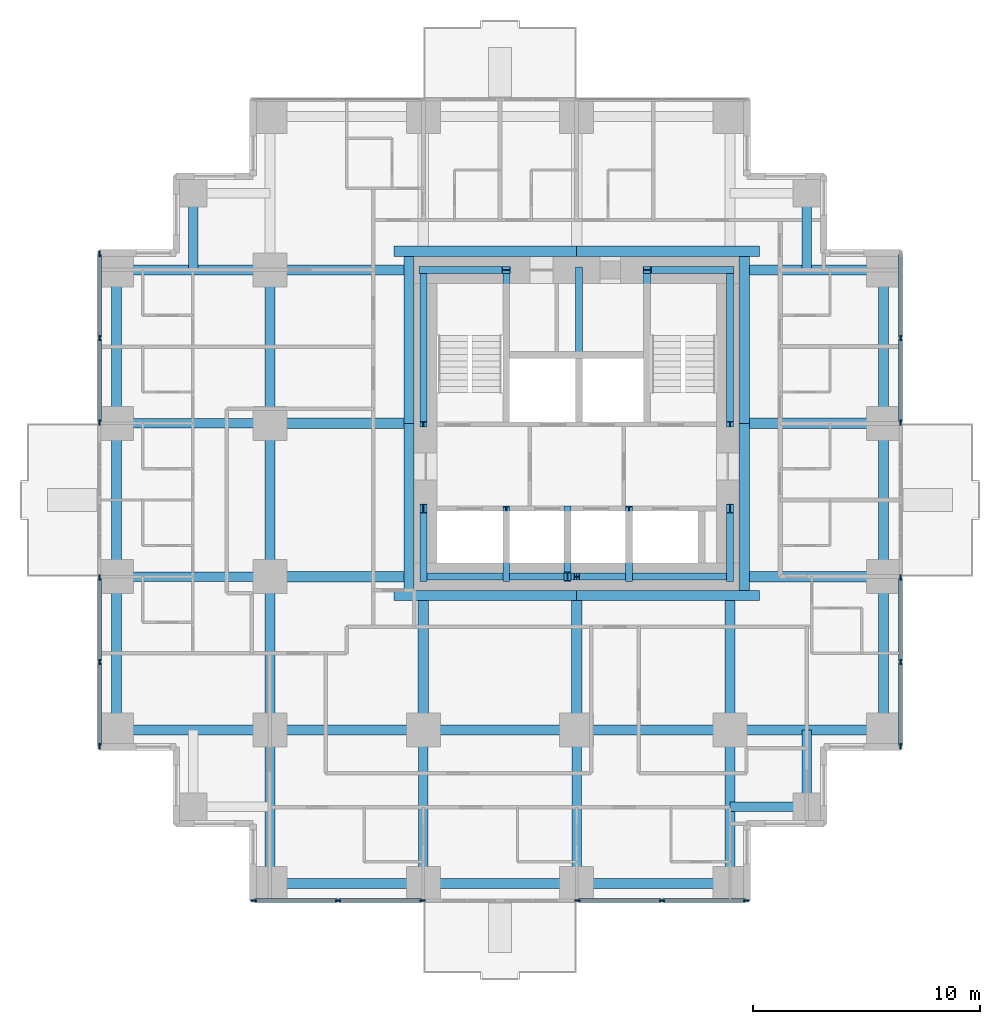
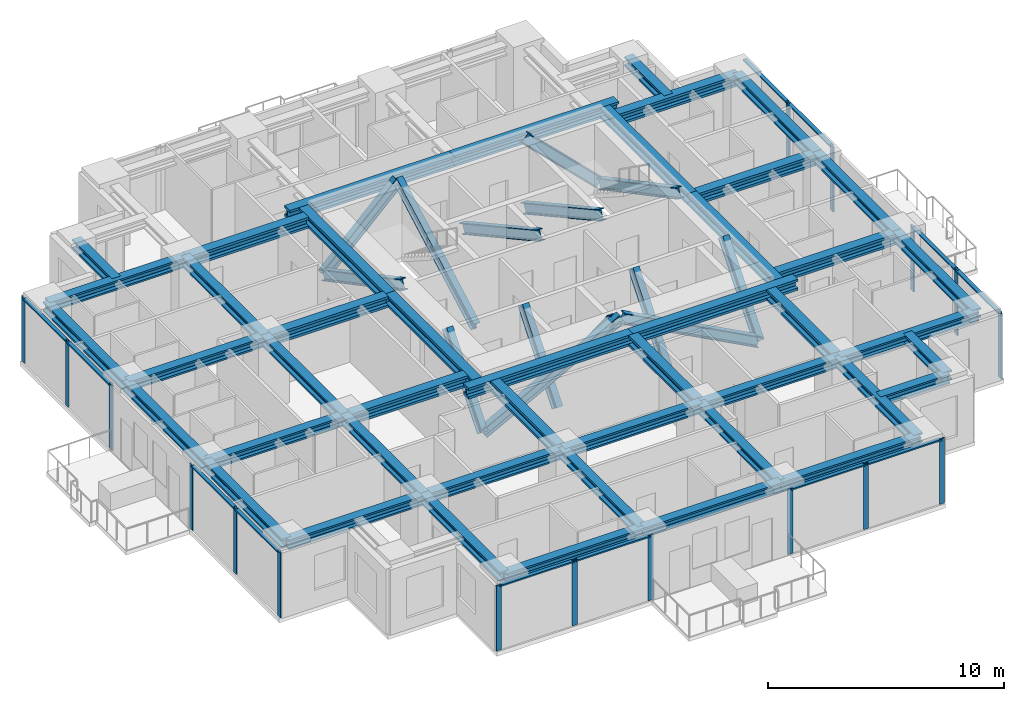
# One storey, part 2 of 10: 45 beams, 43 members, 6 elements without a shape of their own.
"""IFC4 building model written with IfcOpenShell, lengths in metres."""

from ifc_helpers import new_model, si_unit, direction, frame, origin, origin_2d, place, context, subcontext, project, spatial, rectangle, i_section, extrude, material, material_profile, profile_set, type_object, element, aggregate, save


model = new_model("IFC4")

# Units and contexts
model_context = context("Model", 3, precision=1e-05, world=origin(), true_north=direction((0.0, 1.0)))
body_context = subcontext(model_context, "Body", "Model", "MODEL_VIEW")
ifc_project = project(units=[si_unit("LENGTHUNIT", "METRE"), si_unit("AREAUNIT", "SQUARE_METRE"), si_unit("VOLUMEUNIT", "CUBIC_METRE"), si_unit("PLANEANGLEUNIT", "RADIAN"), si_unit("MASSUNIT", "GRAM", prefix="KILO")], contexts=[model_context])

# Site, building, storey
site_placement = place(None, origin())
site = spatial("IfcSite", under=ifc_project, at=site_placement, CompositionType="ELEMENT")
building_placement = place(site_placement, origin())
building = spatial("IfcBuilding", under=site, at=building_placement, Name="Nyansa Garden Tower", CompositionType="ELEMENT")
storey_placement = place(building_placement, frame((0.0, 0.0, 156.60009765625)))
storey = spatial("IfcBuildingStorey", under=building, at=storey_placement, Name="L42", CompositionType="ELEMENT", Elevation=156.60009765625)

# Curtain wall, members
ifc_material_1 = material(Name="Black anodised aluminium, dark tinted double glazing", Category="aluminium")
curtain_wall_type = type_object("IfcCurtainWallType", Name="Inner skin curtain wall ISW-C", PredefinedType="USERDEFINED", material=ifc_material_1)
curtain_wall_1_placement = place(storey_placement, origin())
curtain_wall_1 = element("IfcCurtainWall", 1, at=curtain_wall_1_placement, inside=storey, type_object=curtain_wall_type, Name="Inner skin curtain wall L42 E", ObjectType="UNITISED CURTAIN WALL", PredefinedType="USERDEFINED")
ifc_material_2 = material(Name="Black anodised aluminium", Category="aluminium")
ifc_material_profile_1 = material_profile(ifc_material_2, rectangle(XDim=0.070068359375, YDim=0.25, at=origin_2d()), Name="Mullion 250x70")
ifc_profile_set_1 = profile_set([ifc_material_profile_1], Name="Black anodised aluminium")
member_type_1 = type_object("IfcMemberType", Name="Mullion ISW-C 250x70", PredefinedType="MULLION", material=ifc_profile_set_1)
member_1_placement = place(storey_placement, frame((34.5, 6.034912109375, 0.0), z_axis=(0.0, 0.0, 1.0), x_axis=(-1.0, 0.0, 0.0)))
member_1 = element("IfcMember", 2, at=member_1_placement, type_object=member_type_1, Name="ISW-C mullion 1", PredefinedType="MULLION", context=body_context, shape_type="SweptSolid", body=[
    extrude(rectangle(XDim=0.070068359375, YDim=0.25, at=origin_2d()), origin(), (0.0, 0.0, 1.0), 3.375),
])
member_2_placement = place(storey_placement, frame((34.5, 9.75, 0.0), z_axis=(0.0, 0.0, 1.0), x_axis=(-1.0, 0.0, 0.0)))
member_2 = element("IfcMember", 3, at=member_2_placement, type_object=member_type_1, Name="ISW-C mullion 2", PredefinedType="MULLION", context=body_context, shape_type="SweptSolid", body=[
    extrude(rectangle(XDim=0.070068359375, YDim=0.25, at=origin_2d()), origin(), (0.0, 0.0, 1.0), 3.375),
])
member_3_placement = place(storey_placement, frame((34.5, 13.465087890625, 0.0), z_axis=(0.0, 0.0, 1.0), x_axis=(-1.0, 0.0, 0.0)))
member_3 = element("IfcMember", 4, at=member_3_placement, type_object=member_type_1, Name="ISW-C mullion 3", PredefinedType="MULLION", context=body_context, shape_type="SweptSolid", body=[
    extrude(rectangle(XDim=0.070068359375, YDim=0.25, at=origin_2d()), origin(), (0.0, 0.0, 1.0), 3.375),
])

curtain_wall_2_placement = place(storey_placement, origin())
curtain_wall_2 = element("IfcCurtainWall", 5, at=curtain_wall_2_placement, inside=storey, type_object=curtain_wall_type, Name="Inner skin curtain wall L42 E", ObjectType="UNITISED CURTAIN WALL", PredefinedType="USERDEFINED")
member_4_placement = place(storey_placement, frame((34.5, 20.284912109375, 0.0), z_axis=(0.0, 0.0, 1.0), x_axis=(-1.0, 0.0, 0.0)))
member_4 = element("IfcMember", 6, at=member_4_placement, type_object=member_type_1, Name="ISW-C mullion 1", PredefinedType="MULLION", context=body_context, shape_type="SweptSolid", body=[
    extrude(rectangle(XDim=0.070068359375, YDim=0.25, at=origin_2d()), origin(), (0.0, 0.0, 1.0), 3.375),
])
member_5_placement = place(storey_placement, frame((34.5, 24.0, 0.0), z_axis=(0.0, 0.0, 1.0), x_axis=(-1.0, 0.0, 0.0)))
member_5 = element("IfcMember", 7, at=member_5_placement, type_object=member_type_1, Name="ISW-C mullion 2", PredefinedType="MULLION", context=body_context, shape_type="SweptSolid", body=[
    extrude(rectangle(XDim=0.070068359375, YDim=0.25, at=origin_2d()), origin(), (0.0, 0.0, 1.0), 3.375),
])

curtain_wall_3_placement = place(storey_placement, origin())
curtain_wall_3 = element("IfcCurtainWall", 8, at=curtain_wall_3_placement, inside=storey, type_object=curtain_wall_type, Name="Inner skin curtain wall L42 W", ObjectType="UNITISED CURTAIN WALL", PredefinedType="USERDEFINED")
member_6_placement = place(storey_placement, frame((-0.75, 13.465087890625, 0.0), z_axis=(0.0, 0.0, 1.0), x_axis=(1.0, 0.0, 0.0)))
member_6 = element("IfcMember", 9, at=member_6_placement, type_object=member_type_1, Name="ISW-C mullion 1", PredefinedType="MULLION", context=body_context, shape_type="SweptSolid", body=[
    extrude(rectangle(XDim=0.070068359375, YDim=0.25, at=origin_2d()), origin(), (0.0, 0.0, 1.0), 3.375),
])
member_7_placement = place(storey_placement, frame((-0.75, 9.75, 0.0), z_axis=(0.0, 0.0, 1.0), x_axis=(1.0, 0.0, 0.0)))
member_7 = element("IfcMember", 10, at=member_7_placement, type_object=member_type_1, Name="ISW-C mullion 2", PredefinedType="MULLION", context=body_context, shape_type="SweptSolid", body=[
    extrude(rectangle(XDim=0.070068359375, YDim=0.25, at=origin_2d()), origin(), (0.0, 0.0, 1.0), 3.375),
])
member_8_placement = place(storey_placement, frame((-0.75, 6.034912109375, 0.0), z_axis=(0.0, 0.0, 1.0), x_axis=(1.0, 0.0, 0.0)))
member_8 = element("IfcMember", 11, at=member_8_placement, type_object=member_type_1, Name="ISW-C mullion 3", PredefinedType="MULLION", context=body_context, shape_type="SweptSolid", body=[
    extrude(rectangle(XDim=0.070068359375, YDim=0.25, at=origin_2d()), origin(), (0.0, 0.0, 1.0), 3.375),
])

curtain_wall_4_placement = place(storey_placement, origin())
curtain_wall_4 = element("IfcCurtainWall", 12, at=curtain_wall_4_placement, inside=storey, type_object=curtain_wall_type, Name="Inner skin curtain wall L42 W", ObjectType="UNITISED CURTAIN WALL", PredefinedType="USERDEFINED")
member_9_placement = place(storey_placement, frame((-0.75, 27.715087890625, 0.0), z_axis=(0.0, 0.0, 1.0), x_axis=(1.0, 0.0, 0.0)))
member_9 = element("IfcMember", 13, at=member_9_placement, type_object=member_type_1, Name="ISW-C mullion 1", PredefinedType="MULLION", context=body_context, shape_type="SweptSolid", body=[
    extrude(rectangle(XDim=0.070068359375, YDim=0.25, at=origin_2d()), origin(), (0.0, 0.0, 1.0), 3.375),
])
member_10_placement = place(storey_placement, frame((-0.75, 24.0, 0.0), z_axis=(0.0, 0.0, 1.0), x_axis=(1.0, 0.0, 0.0)))
member_10 = element("IfcMember", 14, at=member_10_placement, type_object=member_type_1, Name="ISW-C mullion 2", PredefinedType="MULLION", context=body_context, shape_type="SweptSolid", body=[
    extrude(rectangle(XDim=0.070068359375, YDim=0.25, at=origin_2d()), origin(), (0.0, 0.0, 1.0), 3.375),
])
member_11_placement = place(storey_placement, frame((-0.75, 20.284912109375, 0.0), z_axis=(0.0, 0.0, 1.0), x_axis=(1.0, 0.0, 0.0)))
member_11 = element("IfcMember", 15, at=member_11_placement, type_object=member_type_1, Name="ISW-C mullion 3", PredefinedType="MULLION", context=body_context, shape_type="SweptSolid", body=[
    extrude(rectangle(XDim=0.070068359375, YDim=0.25, at=origin_2d()), origin(), (0.0, 0.0, 1.0), 3.375),
])

curtain_wall_5_placement = place(storey_placement, origin())
curtain_wall_5 = element("IfcCurtainWall", 16, at=curtain_wall_5_placement, inside=storey, type_object=curtain_wall_type, Name="Inner skin curtain wall L42 S", ObjectType="UNITISED CURTAIN WALL", PredefinedType="USERDEFINED")
member_12_placement = place(storey_placement, frame((6.034912109375, -0.75, 0.0), z_axis=(0.0, 0.0, 1.0), x_axis=(0.0, 1.0, 0.0)))
member_12 = element("IfcMember", 17, at=member_12_placement, type_object=member_type_1, Name="ISW-C mullion 1", PredefinedType="MULLION", context=body_context, shape_type="SweptSolid", body=[
    extrude(rectangle(XDim=0.070068359375, YDim=0.25, at=origin_2d()), origin(), (0.0, 0.0, 1.0), 3.375),
])
member_13_placement = place(storey_placement, frame((9.75, -0.75, 0.0), z_axis=(0.0, 0.0, 1.0), x_axis=(0.0, 1.0, 0.0)))
member_13 = element("IfcMember", 18, at=member_13_placement, type_object=member_type_1, Name="ISW-C mullion 2", PredefinedType="MULLION", context=body_context, shape_type="SweptSolid", body=[
    extrude(rectangle(XDim=0.070068359375, YDim=0.25, at=origin_2d()), origin(), (0.0, 0.0, 1.0), 3.375),
])
member_14_placement = place(storey_placement, frame((13.465087890625, -0.75, 0.0), z_axis=(0.0, 0.0, 1.0), x_axis=(0.0, 1.0, 0.0)))
member_14 = element("IfcMember", 19, at=member_14_placement, type_object=member_type_1, Name="ISW-C mullion 3", PredefinedType="MULLION", context=body_context, shape_type="SweptSolid", body=[
    extrude(rectangle(XDim=0.070068359375, YDim=0.25, at=origin_2d()), origin(), (0.0, 0.0, 1.0), 3.375),
])

curtain_wall_6_placement = place(storey_placement, origin())
curtain_wall_6 = element("IfcCurtainWall", 20, at=curtain_wall_6_placement, inside=storey, type_object=curtain_wall_type, Name="Inner skin curtain wall L42 S", ObjectType="UNITISED CURTAIN WALL", PredefinedType="USERDEFINED")
member_15_placement = place(storey_placement, frame((20.284912109375, -0.75, 0.0), z_axis=(0.0, 0.0, 1.0), x_axis=(0.0, 1.0, 0.0)))
member_15 = element("IfcMember", 21, at=member_15_placement, type_object=member_type_1, Name="ISW-C mullion 1", PredefinedType="MULLION", context=body_context, shape_type="SweptSolid", body=[
    extrude(rectangle(XDim=0.070068359375, YDim=0.25, at=origin_2d()), origin(), (0.0, 0.0, 1.0), 3.375),
])
member_16_placement = place(storey_placement, frame((24.0, -0.75, 0.0), z_axis=(0.0, 0.0, 1.0), x_axis=(0.0, 1.0, 0.0)))
member_16 = element("IfcMember", 22, at=member_16_placement, type_object=member_type_1, Name="ISW-C mullion 2", PredefinedType="MULLION", context=body_context, shape_type="SweptSolid", body=[
    extrude(rectangle(XDim=0.070068359375, YDim=0.25, at=origin_2d()), origin(), (0.0, 0.0, 1.0), 3.375),
])
member_17_placement = place(storey_placement, frame((27.715087890625, -0.75, 0.0), z_axis=(0.0, 0.0, 1.0), x_axis=(0.0, 1.0, 0.0)))
member_17 = element("IfcMember", 23, at=member_17_placement, type_object=member_type_1, Name="ISW-C mullion 3", PredefinedType="MULLION", context=body_context, shape_type="SweptSolid", body=[
    extrude(rectangle(XDim=0.070068359375, YDim=0.25, at=origin_2d()), origin(), (0.0, 0.0, 1.0), 3.375),
])

# Members
ifc_material_3 = material(Name="Steel S355", Category="steel")
ifc_material_profile_2 = material_profile(ifc_material_3, i_section(OverallWidth=0.305908203125, OverallDepth=0.52392578125, WebThickness=0.02099609375, FlangeThickness=0.0400390625, FilletRadius=0.027099609375, at=origin_2d()), Name="HE 500 M")
ifc_profile_set_2 = profile_set([ifc_material_profile_2], Name="Steel S355")
member_type_2 = type_object("IfcMemberType", Name="Perimeter brace HE 500 M", PredefinedType="BRACE", material=ifc_profile_set_2)
for number, where, z_axis, x_axis, name in (
    (24, (13.5, 13.5, 0.0), (0.882360891967, 0.0, 0.470573327259), (0.0, 1.0, 0.0), "Core brace CS1 L42"),
    (25, (27.0, 13.5, 0.0), (-0.882360891967, 0.0, 0.470573327259), (0.0, -1.0, 0.0), "Core brace CS2 L42"),
):
    element("IfcMember", number, at=place(storey_placement, frame(where, z_axis=z_axis, x_axis=x_axis)), inside=storey, type_object=member_type_2, Name=name, PredefinedType="BRACE", context=body_context, shape_type="SweptSolid", body=[
        extrude(i_section(OverallWidth=0.305908203125, OverallDepth=0.52392578125, WebThickness=0.02099609375, FlangeThickness=0.0400390625, FilletRadius=0.027099609375, at=origin_2d()), origin(), (0.0, 0.0, 1.0), 7.64990234375),
    ])
for number, where, z_axis, x_axis, name in (
    (26, (13.5, 27.0, 0.0), (0.711971340796, 0.0, 0.702208523079), (0.0, 1.0, 0.0), "Core brace CN3 L42"),
    (27, (27.0, 27.0, 0.0), (-0.711971340796, 0.0, 0.702208523079), (0.0, -1.0, 0.0), "Core brace CN4 L42"),
):
    element("IfcMember", number, at=place(storey_placement, frame(where, z_axis=z_axis, x_axis=x_axis)), inside=storey, type_object=member_type_2, Name=name, PredefinedType="BRACE", context=body_context, shape_type="SweptSolid", body=[
        extrude(i_section(OverallWidth=0.305908203125, OverallDepth=0.52392578125, WebThickness=0.02099609375, FlangeThickness=0.0400390625, FilletRadius=0.027099609375, at=origin_2d()), origin(), (0.0, 0.0, 1.0), 5.12646484375),
    ])
member_18_placement = place(storey_placement, frame((13.5, 13.5, 0.0), z_axis=(0.0, 0.640199773186, 0.768208468069), x_axis=(-1.0, 0.0, 0.0)))
element("IfcMember", 28, at=member_18_placement, inside=storey, type_object=member_type_2, Name="Core brace CW5 L42", PredefinedType="BRACE", context=body_context, shape_type="SweptSolid", body=[
    extrude(i_section(OverallWidth=0.305908203125, OverallDepth=0.52392578125, WebThickness=0.02099609375, FlangeThickness=0.0400390625, FilletRadius=0.027099609375, at=origin_2d()), origin(), (0.0, 0.0, 1.0), 4.68603515625),
])
member_19_placement = place(storey_placement, frame((13.5, 27.0, 0.0), z_axis=(0.0, -0.883797178129, 0.467870225524), x_axis=(1.0, 0.0, 0.0)))
element("IfcMember", 29, at=member_19_placement, inside=storey, type_object=member_type_2, Name="Core brace CW6 L42", PredefinedType="BRACE", context=body_context, shape_type="SweptSolid", body=[
    extrude(i_section(OverallWidth=0.305908203125, OverallDepth=0.52392578125, WebThickness=0.02099609375, FlangeThickness=0.0400390625, FilletRadius=0.027099609375, at=origin_2d()), origin(), (0.0, 0.0, 1.0), 7.694091796875),
])
member_20_placement = place(storey_placement, frame((27.0, 13.5, 0.0), z_axis=(0.0, 0.640199773186, 0.768208468069), x_axis=(-1.0, 0.0, 0.0)))
element("IfcMember", 30, at=member_20_placement, inside=storey, type_object=member_type_2, Name="Core brace CE7 L42", PredefinedType="BRACE", context=body_context, shape_type="SweptSolid", body=[
    extrude(i_section(OverallWidth=0.305908203125, OverallDepth=0.52392578125, WebThickness=0.02099609375, FlangeThickness=0.0400390625, FilletRadius=0.027099609375, at=origin_2d()), origin(), (0.0, 0.0, 1.0), 4.68603515625),
])
member_21_placement = place(storey_placement, frame((27.0, 27.0, 0.0), z_axis=(0.0, -0.883797178129, 0.467870225524), x_axis=(1.0, 0.0, 0.0)))
element("IfcMember", 31, at=member_21_placement, inside=storey, type_object=member_type_2, Name="Core brace CE8 L42", PredefinedType="BRACE", context=body_context, shape_type="SweptSolid", body=[
    extrude(i_section(OverallWidth=0.305908203125, OverallDepth=0.52392578125, WebThickness=0.02099609375, FlangeThickness=0.0400390625, FilletRadius=0.027099609375, at=origin_2d()), origin(), (0.0, 0.0, 1.0), 7.694091796875),
])
for number, where, z_axis, x_axis, name in (
    (32, (17.14990234375, 20.449951171875, 0.0), (0.0, 0.876366901673, 0.481644115143), (-1.0, 0.0, 0.0), "Core brace CWS9 L42"),
    (33, (23.35009765625, 27.0, 0.0), (0.0, -0.876366901673, 0.481644115143), (1.0, 0.0, 0.0), "Core brace CES10 L42"),
):
    element("IfcMember", number, at=place(storey_placement, frame(where, z_axis=z_axis, x_axis=x_axis)), inside=storey, type_object=member_type_2, Name=name, PredefinedType="BRACE", context=body_context, shape_type="SweptSolid", body=[
        extrude(i_section(OverallWidth=0.305908203125, OverallDepth=0.52392578125, WebThickness=0.02099609375, FlangeThickness=0.0400390625, FilletRadius=0.027099609375, at=origin_2d()), origin(), (0.0, 0.0, 1.0), 7.47412109375),
    ])
for number, where, z_axis, x_axis, name in (
    (34, (17.14990234375, 13.5, 0.0), (0.0, 0.627332207022, 0.778751758928), (-1.0, 0.0, 0.0), "Core brace CSW11 L42"),
    (35, (19.85009765625, 16.39990234375, 0.0), (0.0, -0.627332207022, 0.778751758928), (1.0, 0.0, 0.0), "Core brace CSW12 L42"),
    (36, (22.550048828125, 13.5, 0.0), (0.0, 0.627332207022, 0.778751758928), (-1.0, 0.0, 0.0), "Core brace CSW13 L42"),
):
    element("IfcMember", number, at=place(storey_placement, frame(where, z_axis=z_axis, x_axis=x_axis)), inside=storey, type_object=member_type_2, Name=name, PredefinedType="BRACE", context=body_context, shape_type="SweptSolid", body=[
        extrude(i_section(OverallWidth=0.305908203125, OverallDepth=0.52392578125, WebThickness=0.02099609375, FlangeThickness=0.0400390625, FilletRadius=0.027099609375, at=origin_2d()), origin(), (0.0, 0.0, 1.0), 4.62255859375),
    ])
member_22_placement = place(storey_placement, frame((20.35009765625, 27.0, 0.0), z_axis=(0.0, -0.876366901673, 0.481644115143), x_axis=(1.0, 0.0, 0.0)))
element("IfcMember", 37, at=member_22_placement, inside=storey, type_object=member_type_2, Name="Core brace CNW14 L42", PredefinedType="BRACE", context=body_context, shape_type="SweptSolid", body=[
    extrude(i_section(OverallWidth=0.305908203125, OverallDepth=0.52392578125, WebThickness=0.02099609375, FlangeThickness=0.0400390625, FilletRadius=0.027099609375, at=origin_2d()), origin(), (0.0, 0.0, 1.0), 7.47412109375),
])

# Beams
ifc_material_4 = material(Name="Steel S355", Category="steel")
ifc_material_profile_3 = material_profile(ifc_material_4, i_section(OverallWidth=0.431884765625, OverallDepth=0.498046875, WebThickness=0.0556640625, FlangeThickness=0.0888671875, FilletRadius=0.014892578125, at=origin_2d()), Name="HD 400x744")
ifc_profile_set_3 = profile_set([ifc_material_profile_3], Name="Steel S355")
beam_type_1 = type_object("IfcBeamType", Name="Steel beam SBC1-744 HD 400x744", PredefinedType="BEAM", material=ifc_profile_set_3)
for number, where, z_axis, x_axis, name in (
    (38, (0.0, 6.75, 3.1259765625), (1.0, 0.0, 0.0), (0.0, 1.0, 0.0), "Steel beam 2/E-3/E L43"),
    (39, (0.0, 13.5, 3.1259765625), (1.0, 0.0, 0.0), (0.0, 1.0, 0.0), "Steel beam 2/F-3/F L43"),
    (40, (0.0, 20.25, 3.1259765625), (1.0, 0.0, 0.0), (0.0, 1.0, 0.0), "Steel beam 2/G-3/G L43"),
    (41, (0.0, 27.0, 3.1259765625), (1.0, 0.0, 0.0), (0.0, 1.0, 0.0), "Steel beam 2/H-3/H L43"),
    (42, (6.75, 0.0, 3.1259765625), (0.0, 1.0, 0.0), (-1.0, 0.0, 0.0), "Steel beam 3/D-3/E L43"),
    (43, (6.75, 6.75, 3.1259765625), (0.0, 1.0, 0.0), (-1.0, 0.0, 0.0), "Steel beam 3/E-3/F L43"),
    (44, (6.75, 6.75, 3.1259765625), (1.0, 0.0, 0.0), (0.0, 1.0, 0.0), "Steel beam 3/E-4/E L43"),
    (45, (6.75, 13.5, 3.1259765625), (0.0, 1.0, 0.0), (-1.0, 0.0, 0.0), "Steel beam 3/F-3/G L43"),
    (46, (6.75, 20.25, 3.1259765625), (0.0, 1.0, 0.0), (-1.0, 0.0, 0.0), "Steel beam 3/G-3/H L43"),
    (47, (13.5, 0.0, 3.1259765625), (0.0, 1.0, 0.0), (-1.0, 0.0, 0.0), "Steel beam 4/D-4/E L43"),
    (48, (13.5, 6.75, 3.1259765625), (1.0, 0.0, 0.0), (0.0, 1.0, 0.0), "Steel beam 4/E-5/E L43"),
    (49, (20.25, 0.0, 3.1259765625), (0.0, 1.0, 0.0), (-1.0, 0.0, 0.0), "Steel beam 5/D-5/E L43"),
    (50, (20.25, 6.75, 3.1259765625), (1.0, 0.0, 0.0), (0.0, 1.0, 0.0), "Steel beam 5/E-6/E L43"),
    (51, (27.0, 0.0, 3.1259765625), (0.0, 1.0, 0.0), (-1.0, 0.0, 0.0), "Steel beam 6/D-6/E L43"),
    (52, (27.0, 6.75, 3.1259765625), (1.0, 0.0, 0.0), (0.0, 1.0, 0.0), "Steel beam 6/E-7/E L43"),
):
    element("IfcBeam", number, at=place(storey_placement, frame(where, z_axis=z_axis, x_axis=x_axis)), inside=storey, type_object=beam_type_1, Name=name, PredefinedType="BEAM", context=body_context, shape_type="SweptSolid", body=[
        extrude(i_section(OverallWidth=0.431884765625, OverallDepth=0.498046875, WebThickness=0.0556640625, FlangeThickness=0.0888671875, FilletRadius=0.014892578125, at=origin_2d()), origin(), (0.0, 0.0, 1.0), 6.75),
    ])
ifc_material_5 = material(Name="Steel S355", Category="steel")
ifc_material_profile_4 = material_profile(ifc_material_5, i_section(OverallWidth=0.4541015625, OverallDepth=0.569091796875, WebThickness=0.077880859375, FlangeThickness=0.125, FilletRadius=0.014892578125, at=origin_2d()), Name="HD 400x1086")
ifc_profile_set_4 = profile_set([ifc_material_profile_4], Name="Steel S355")
beam_type_2 = type_object("IfcBeamType", Name="Steel beam SCL-1086 HD 400x1086", PredefinedType="BEAM", material=ifc_profile_set_4)
for number, where, z_axis, x_axis, name in (
    (53, (6.75, 13.5, 3.09033203125), (1.0, 0.0, 0.0), (0.0, 1.0, 0.0), "Steel beam 3/F-12.650/F L43"),
    (54, (6.75, 20.25, 3.09033203125), (1.0, 0.0, 0.0), (0.0, 1.0, 0.0), "Steel beam 3/G-12.650/G L43"),
    (55, (6.75, 27.0, 3.09033203125), (1.0, 0.0, 0.0), (0.0, 1.0, 0.0), "Steel beam 3/H-12.650/H L43"),
):
    element("IfcBeam", number, at=place(storey_placement, frame(where, z_axis=z_axis, x_axis=x_axis)), inside=storey, type_object=beam_type_2, Name=name, PredefinedType="BEAM", context=body_context, shape_type="SweptSolid", body=[
        extrude(i_section(OverallWidth=0.4541015625, OverallDepth=0.569091796875, WebThickness=0.077880859375, FlangeThickness=0.125, FilletRadius=0.014892578125, at=origin_2d()), origin(), (0.0, 0.0, 1.0), 5.89990234375),
    ])
for number, where, z_axis, x_axis, name in (
    (56, (13.5, 6.75, 3.09033203125), (0.0, 1.0, 0.0), (-1.0, 0.0, 0.0), "Steel beam 4/E-4/12.450 L43"),
    (57, (20.25, 6.75, 3.09033203125), (0.0, 1.0, 0.0), (-1.0, 0.0, 0.0), "Steel beam 5/E-5/12.450 L43"),
    (58, (27.0, 6.75, 3.09033203125), (0.0, 1.0, 0.0), (-1.0, 0.0, 0.0), "Steel beam 6/E-6/12.450 L43"),
):
    element("IfcBeam", number, at=place(storey_placement, frame(where, z_axis=z_axis, x_axis=x_axis)), inside=storey, type_object=beam_type_2, Name=name, PredefinedType="BEAM", context=body_context, shape_type="SweptSolid", body=[
        extrude(i_section(OverallWidth=0.4541015625, OverallDepth=0.569091796875, WebThickness=0.077880859375, FlangeThickness=0.125, FilletRadius=0.014892578125, at=origin_2d()), origin(), (0.0, 0.0, 1.0), 5.699951171875),
    ])
for number, where, z_axis, x_axis, name in (
    (59, (27.85009765625, 13.5, 3.09033203125), (1.0, 0.0, 0.0), (0.0, 1.0, 0.0), "Steel beam 27.850/F-7/F L43"),
    (60, (27.85009765625, 20.25, 3.09033203125), (1.0, 0.0, 0.0), (0.0, 1.0, 0.0), "Steel beam 27.850/G-7/G L43"),
    (61, (27.85009765625, 27.0, 3.09033203125), (1.0, 0.0, 0.0), (0.0, 1.0, 0.0), "Steel beam 27.850/H-7/H L43"),
):
    element("IfcBeam", number, at=place(storey_placement, frame(where, z_axis=z_axis, x_axis=x_axis)), inside=storey, type_object=beam_type_2, Name=name, PredefinedType="BEAM", context=body_context, shape_type="SweptSolid", body=[
        extrude(i_section(OverallWidth=0.4541015625, OverallDepth=0.569091796875, WebThickness=0.077880859375, FlangeThickness=0.125, FilletRadius=0.014892578125, at=origin_2d()), origin(), (0.0, 0.0, 1.0), 5.89990234375),
    ])
for number, where, z_axis, x_axis, name in (
    (62, (12.199951171875, 12.673095703125, 3.09033203125), (1.0, 0.0, 0.0), (0.0, 1.0, 0.0), "Steel core ledger beam S.1 L43"),
    (63, (20.25, 12.673095703125, 3.09033203125), (1.0, 0.0, 0.0), (0.0, 1.0, 0.0), "Steel core ledger beam S.2 L43"),
):
    element("IfcBeam", number, at=place(storey_placement, frame(where, z_axis=z_axis, x_axis=x_axis)), inside=storey, type_object=beam_type_2, Name=name, PredefinedType="BEAM", context=body_context, shape_type="SweptSolid", body=[
        extrude(i_section(OverallWidth=0.4541015625, OverallDepth=0.569091796875, WebThickness=0.077880859375, FlangeThickness=0.125, FilletRadius=0.014892578125, at=origin_2d()), origin(), (0.0, 0.0, 1.0), 8.050048828125),
    ])
for number, where, z_axis, x_axis, name in (
    (64, (27.626953125, 12.89990234375, 3.09033203125), (0.0, 1.0, 0.0), (-1.0, 0.0, 0.0), "Steel core ledger beam E.1 L43"),
    (65, (27.626953125, 20.25, 3.09033203125), (0.0, 1.0, 0.0), (-1.0, 0.0, 0.0), "Steel core ledger beam E.2 L43"),
):
    element("IfcBeam", number, at=place(storey_placement, frame(where, z_axis=z_axis, x_axis=x_axis)), inside=storey, type_object=beam_type_2, Name=name, PredefinedType="BEAM", context=body_context, shape_type="SweptSolid", body=[
        extrude(i_section(OverallWidth=0.4541015625, OverallDepth=0.569091796875, WebThickness=0.077880859375, FlangeThickness=0.125, FilletRadius=0.014892578125, at=origin_2d()), origin(), (0.0, 0.0, 1.0), 7.35009765625),
    ])
for number, where, z_axis, x_axis, name in (
    (66, (28.300048828125, 27.826904296875, 3.09033203125), (-1.0, 0.0, 0.0), (0.0, -1.0, 0.0), "Steel core ledger beam N.1 L43"),
    (67, (20.25, 27.826904296875, 3.09033203125), (-1.0, 0.0, 0.0), (0.0, -1.0, 0.0), "Steel core ledger beam N.2 L43"),
):
    element("IfcBeam", number, at=place(storey_placement, frame(where, z_axis=z_axis, x_axis=x_axis)), inside=storey, type_object=beam_type_2, Name=name, PredefinedType="BEAM", context=body_context, shape_type="SweptSolid", body=[
        extrude(i_section(OverallWidth=0.4541015625, OverallDepth=0.569091796875, WebThickness=0.077880859375, FlangeThickness=0.125, FilletRadius=0.014892578125, at=origin_2d()), origin(), (0.0, 0.0, 1.0), 8.050048828125),
    ])
for number, where, z_axis, x_axis, name in (
    (68, (12.873046875, 27.60009765625, 3.09033203125), (0.0, -1.0, 0.0), (1.0, 0.0, 0.0), "Steel core ledger beam W.1 L43"),
    (69, (12.873046875, 20.25, 3.09033203125), (0.0, -1.0, 0.0), (1.0, 0.0, 0.0), "Steel core ledger beam W.2 L43"),
):
    element("IfcBeam", number, at=place(storey_placement, frame(where, z_axis=z_axis, x_axis=x_axis)), inside=storey, type_object=beam_type_2, Name=name, PredefinedType="BEAM", context=body_context, shape_type="SweptSolid", body=[
        extrude(i_section(OverallWidth=0.4541015625, OverallDepth=0.569091796875, WebThickness=0.077880859375, FlangeThickness=0.125, FilletRadius=0.014892578125, at=origin_2d()), origin(), (0.0, 0.0, 1.0), 7.35009765625),
    ])
ifc_material_6 = material(Name="Steel S355", Category="steel")
ifc_material_profile_5 = material_profile(ifc_material_6, i_section(OverallWidth=0.431884765625, OverallDepth=0.498046875, WebThickness=0.0556640625, FlangeThickness=0.0888671875, FilletRadius=0.014892578125, at=origin_2d()), Name="HD 400x744")
ifc_profile_set_5 = profile_set([ifc_material_profile_5], Name="Steel S355")
beam_type_3 = type_object("IfcBeamType", Name="Steel beam SEBC-744 HD 400x744", PredefinedType="BEAM", material=ifc_profile_set_5)
for number, where, z_axis, x_axis, name in (
    (70, (0.0, 6.75, 3.1259765625), (0.0, 1.0, 0.0), (-1.0, 0.0, 0.0), "Steel edge beam 2/E-2/F L43"),
    (71, (0.0, 13.5, 3.1259765625), (0.0, 1.0, 0.0), (-1.0, 0.0, 0.0), "Steel edge beam 2/F-2/G L43"),
    (72, (0.0, 20.25, 3.1259765625), (0.0, 1.0, 0.0), (-1.0, 0.0, 0.0), "Steel edge beam 2/G-2/H L43"),
    (73, (6.75, 0.0, 3.1259765625), (1.0, 0.0, 0.0), (0.0, 1.0, 0.0), "Steel edge beam 3/D-4/D L43"),
    (74, (13.5, 0.0, 3.1259765625), (1.0, 0.0, 0.0), (0.0, 1.0, 0.0), "Steel edge beam 4/D-5/D L43"),
    (75, (20.25, 0.0, 3.1259765625), (1.0, 0.0, 0.0), (0.0, 1.0, 0.0), "Steel edge beam 5/D-6/D L43"),
    (76, (33.75, 6.75, 3.1259765625), (0.0, 1.0, 0.0), (-1.0, 0.0, 0.0), "Steel edge beam 7/E-7/F L43"),
    (77, (33.75, 13.5, 3.1259765625), (0.0, 1.0, 0.0), (-1.0, 0.0, 0.0), "Steel edge beam 7/F-7/G L43"),
    (78, (33.75, 20.25, 3.1259765625), (0.0, 1.0, 0.0), (-1.0, 0.0, 0.0), "Steel edge beam 7/G-7/H L43"),
):
    element("IfcBeam", number, at=place(storey_placement, frame(where, z_axis=z_axis, x_axis=x_axis)), inside=storey, type_object=beam_type_3, Name=name, PredefinedType="BEAM", context=body_context, shape_type="SweptSolid", body=[
        extrude(i_section(OverallWidth=0.431884765625, OverallDepth=0.498046875, WebThickness=0.0556640625, FlangeThickness=0.0888671875, FilletRadius=0.014892578125, at=origin_2d()), origin(), (0.0, 0.0, 1.0), 6.75),
    ])
ifc_material_7 = material(Name="Steel S355", Category="steel")
ifc_material_profile_6 = material_profile(ifc_material_7, i_section(OverallWidth=0.431884765625, OverallDepth=0.498046875, WebThickness=0.0556640625, FlangeThickness=0.0888671875, FilletRadius=0.014892578125, at=origin_2d()), Name="HD 400x744")
ifc_profile_set_6 = profile_set([ifc_material_profile_6], Name="Steel S355")
beam_type_4 = type_object("IfcBeamType", Name="Steel beam SSB1-744 HD 400x744", PredefinedType="BEAM", material=ifc_profile_set_6)
for number, where, z_axis, x_axis, name in (
    (79, (30.375, 3.375, 3.1259765625), (0.0, 1.0, 0.0), (-1.0, 0.0, 0.0), "Steel step beam 30.375/3.375 L43"),
    (80, (30.375, 3.375, 3.1259765625), (-1.0, 0.0, 0.0), (0.0, -1.0, 0.0), "Steel step beam 30.375/3.375 L43"),
    (81, (30.375, 30.375, 3.1259765625), (0.0, -1.0, 0.0), (1.0, 0.0, 0.0), "Steel step beam 30.375/30.375 L43"),
    (82, (3.375, 30.375, 3.1259765625), (0.0, -1.0, 0.0), (1.0, 0.0, 0.0), "Steel step beam 3.375/30.375 L43"),
):
    element("IfcBeam", number, at=place(storey_placement, frame(where, z_axis=z_axis, x_axis=x_axis)), inside=storey, type_object=beam_type_4, Name=name, PredefinedType="BEAM", context=body_context, shape_type="SweptSolid", body=[
        extrude(i_section(OverallWidth=0.431884765625, OverallDepth=0.498046875, WebThickness=0.0556640625, FlangeThickness=0.0888671875, FilletRadius=0.014892578125, at=origin_2d()), origin(), (0.0, 0.0, 1.0), 3.375),
    ])

# Member
ifc_material_8 = material(Name="Black anodised aluminium", Category="aluminium")
ifc_material_profile_7 = material_profile(ifc_material_8, rectangle(XDim=0.179931640625, YDim=0.070068359375, at=origin_2d()), Name="Transom 180x70")
ifc_profile_set_7 = profile_set([ifc_material_profile_7], Name="Black anodised aluminium")
member_type_3 = type_object("IfcMemberType", Name="Transom ISW-C 180x70", PredefinedType="USERDEFINED", material=ifc_profile_set_7)
member_23_placement = place(storey_placement, frame((34.5, 6.070068359375, 3.33984375), z_axis=(0.0, 1.0, 0.0), x_axis=(-1.0, 0.0, 0.0)))
member_23 = element("IfcMember", 83, at=member_23_placement, type_object=member_type_3, Name="ISW-C transom 1", ObjectType="TRANSOM", PredefinedType="USERDEFINED", context=body_context, shape_type="SweptSolid", body=[
    extrude(rectangle(XDim=0.179931640625, YDim=0.070068359375, at=origin_2d()), origin(), (0.0, 0.0, 1.0), 3.64501953125),
])

member_24_placement = place(storey_placement, frame((34.5, 9.784912109375, 3.33984375), z_axis=(0.0, 1.0, 0.0), x_axis=(-1.0, 0.0, 0.0)))
member_24 = element("IfcMember", 84, at=member_24_placement, type_object=member_type_3, Name="ISW-C transom 2", ObjectType="TRANSOM", PredefinedType="USERDEFINED", context=body_context, shape_type="SweptSolid", body=[
    extrude(rectangle(XDim=0.179931640625, YDim=0.070068359375, at=origin_2d()), origin(), (0.0, 0.0, 1.0), 3.64501953125),
])

aggregate(curtain_wall_1, [member_1, member_2, member_3, member_23, member_24])

member_25_placement = place(storey_placement, frame((34.5, 20.320068359375, 3.33984375), z_axis=(0.0, 1.0, 0.0), x_axis=(-1.0, 0.0, 0.0)))
member_25 = element("IfcMember", 85, at=member_25_placement, type_object=member_type_3, Name="ISW-C transom 1", ObjectType="TRANSOM", PredefinedType="USERDEFINED", context=body_context, shape_type="SweptSolid", body=[
    extrude(rectangle(XDim=0.179931640625, YDim=0.070068359375, at=origin_2d()), origin(), (0.0, 0.0, 1.0), 3.64501953125),
])

member_26_placement = place(storey_placement, frame((34.5, 24.034912109375, 3.33984375), z_axis=(0.0, 1.0, 0.0), x_axis=(-1.0, 0.0, 0.0)))
member_26 = element("IfcMember", 86, at=member_26_placement, type_object=member_type_3, Name="ISW-C transom 2", ObjectType="TRANSOM", PredefinedType="USERDEFINED", context=body_context, shape_type="SweptSolid", body=[
    extrude(rectangle(XDim=0.179931640625, YDim=0.070068359375, at=origin_2d()), origin(), (0.0, 0.0, 1.0), 3.64501953125),
])

aggregate(curtain_wall_2, [member_4, member_5, member_25, member_26])

member_27_placement = place(storey_placement, frame((-0.75, 13.429931640625, 3.33984375), z_axis=(0.0, -1.0, 0.0), x_axis=(1.0, 0.0, 0.0)))
member_27 = element("IfcMember", 87, at=member_27_placement, type_object=member_type_3, Name="ISW-C transom 1", ObjectType="TRANSOM", PredefinedType="USERDEFINED", context=body_context, shape_type="SweptSolid", body=[
    extrude(rectangle(XDim=0.179931640625, YDim=0.070068359375, at=origin_2d()), origin(), (0.0, 0.0, 1.0), 3.64501953125),
])

member_28_placement = place(storey_placement, frame((-0.75, 9.715087890625, 3.33984375), z_axis=(0.0, -1.0, 0.0), x_axis=(1.0, 0.0, 0.0)))
member_28 = element("IfcMember", 88, at=member_28_placement, type_object=member_type_3, Name="ISW-C transom 2", ObjectType="TRANSOM", PredefinedType="USERDEFINED", context=body_context, shape_type="SweptSolid", body=[
    extrude(rectangle(XDim=0.179931640625, YDim=0.070068359375, at=origin_2d()), origin(), (0.0, 0.0, 1.0), 3.64501953125),
])

aggregate(curtain_wall_3, [member_6, member_7, member_8, member_27, member_28])

member_29_placement = place(storey_placement, frame((-0.75, 27.679931640625, 3.33984375), z_axis=(0.0, -1.0, 0.0), x_axis=(1.0, 0.0, 0.0)))
member_29 = element("IfcMember", 89, at=member_29_placement, type_object=member_type_3, Name="ISW-C transom 1", ObjectType="TRANSOM", PredefinedType="USERDEFINED", context=body_context, shape_type="SweptSolid", body=[
    extrude(rectangle(XDim=0.179931640625, YDim=0.070068359375, at=origin_2d()), origin(), (0.0, 0.0, 1.0), 3.64501953125),
])

member_30_placement = place(storey_placement, frame((-0.75, 23.965087890625, 3.33984375), z_axis=(0.0, -1.0, 0.0), x_axis=(1.0, 0.0, 0.0)))
member_30 = element("IfcMember", 90, at=member_30_placement, type_object=member_type_3, Name="ISW-C transom 2", ObjectType="TRANSOM", PredefinedType="USERDEFINED", context=body_context, shape_type="SweptSolid", body=[
    extrude(rectangle(XDim=0.179931640625, YDim=0.070068359375, at=origin_2d()), origin(), (0.0, 0.0, 1.0), 3.64501953125),
])

aggregate(curtain_wall_4, [member_9, member_10, member_11, member_29, member_30])

member_31_placement = place(storey_placement, frame((6.070068359375, -0.75, 3.33984375), z_axis=(1.0, 0.0, 0.0), x_axis=(0.0, 1.0, 0.0)))
member_31 = element("IfcMember", 91, at=member_31_placement, type_object=member_type_3, Name="ISW-C transom 1", ObjectType="TRANSOM", PredefinedType="USERDEFINED", context=body_context, shape_type="SweptSolid", body=[
    extrude(rectangle(XDim=0.179931640625, YDim=0.070068359375, at=origin_2d()), origin(), (0.0, 0.0, 1.0), 3.64501953125),
])

member_32_placement = place(storey_placement, frame((9.784912109375, -0.75, 3.33984375), z_axis=(1.0, 0.0, 0.0), x_axis=(0.0, 1.0, 0.0)))
member_32 = element("IfcMember", 92, at=member_32_placement, type_object=member_type_3, Name="ISW-C transom 2", ObjectType="TRANSOM", PredefinedType="USERDEFINED", context=body_context, shape_type="SweptSolid", body=[
    extrude(rectangle(XDim=0.179931640625, YDim=0.070068359375, at=origin_2d()), origin(), (0.0, 0.0, 1.0), 3.64501953125),
])

aggregate(curtain_wall_5, [member_12, member_13, member_14, member_31, member_32])

member_33_placement = place(storey_placement, frame((20.320068359375, -0.75, 3.33984375), z_axis=(1.0, 0.0, 0.0), x_axis=(0.0, 1.0, 0.0)))
member_33 = element("IfcMember", 93, at=member_33_placement, type_object=member_type_3, Name="ISW-C transom 1", ObjectType="TRANSOM", PredefinedType="USERDEFINED", context=body_context, shape_type="SweptSolid", body=[
    extrude(rectangle(XDim=0.179931640625, YDim=0.070068359375, at=origin_2d()), origin(), (0.0, 0.0, 1.0), 3.64501953125),
])

member_34_placement = place(storey_placement, frame((24.034912109375, -0.75, 3.33984375), z_axis=(1.0, 0.0, 0.0), x_axis=(0.0, 1.0, 0.0)))
member_34 = element("IfcMember", 94, at=member_34_placement, type_object=member_type_3, Name="ISW-C transom 2", ObjectType="TRANSOM", PredefinedType="USERDEFINED", context=body_context, shape_type="SweptSolid", body=[
    extrude(rectangle(XDim=0.179931640625, YDim=0.070068359375, at=origin_2d()), origin(), (0.0, 0.0, 1.0), 3.64501953125),
])

aggregate(curtain_wall_6, [member_15, member_16, member_17, member_33, member_34])

save(model, "model.ifc")
